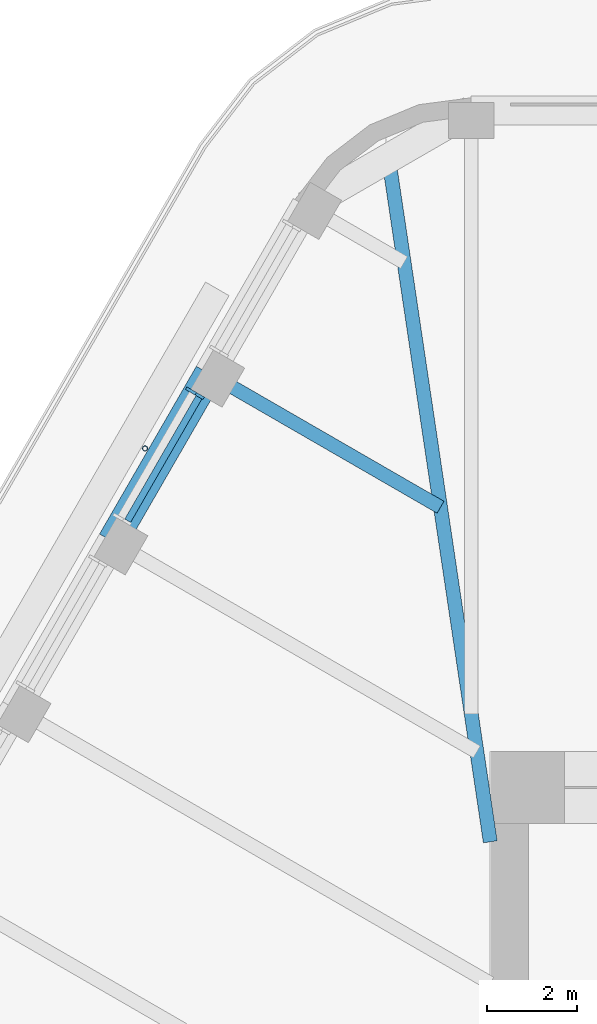
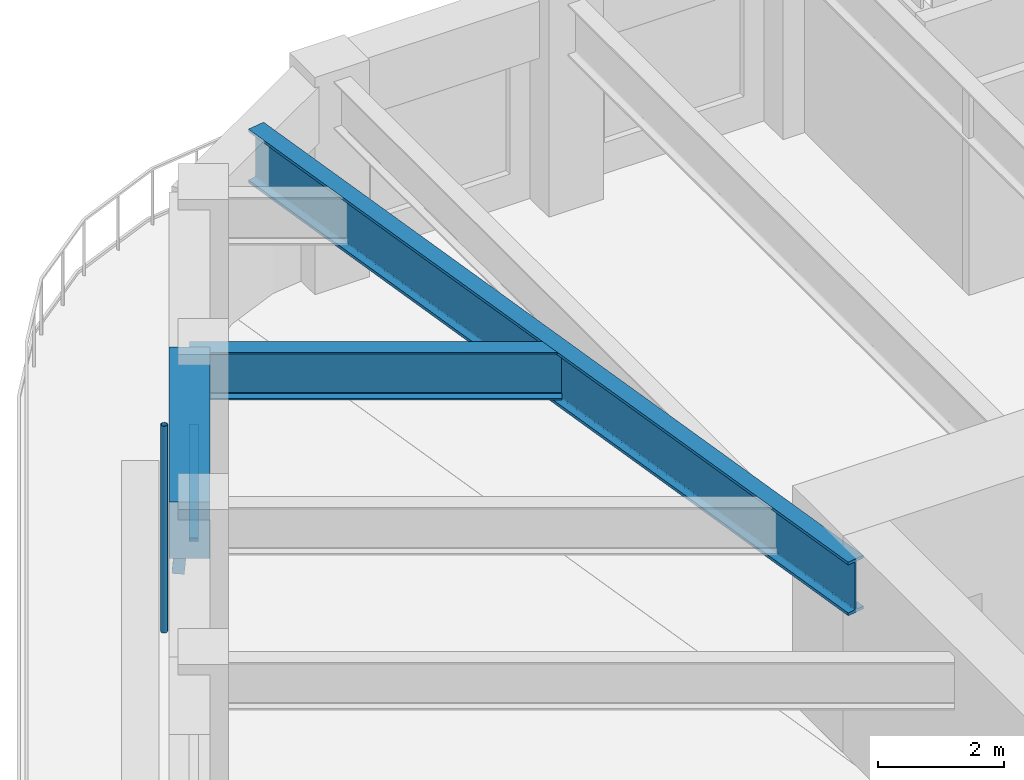
# One storey, part 8 of 19: 3 beams, 3 members, 1 element without a shape of its own.
"""IFC4 building model written with IfcOpenShell, lengths in metres."""

from ifc_helpers import new_model, si_unit, direction, frame, origin, origin_2d, place, context, subcontext, project, spatial, rectangle, hollow_circle, i_section, extrude, material, material_profile, profile_set, type_object, element, aggregate, save


model = new_model("IFC4")

# Units and contexts
model_context = context("Model", 3, precision=1e-05, world=origin(), true_north=direction((0.0, 1.0)))
body_context = subcontext(model_context, "Body", "Model", "MODEL_VIEW")
ifc_project = project(units=[si_unit("LENGTHUNIT", "METRE"), si_unit("AREAUNIT", "SQUARE_METRE"), si_unit("VOLUMEUNIT", "CUBIC_METRE"), si_unit("PLANEANGLEUNIT", "RADIAN"), si_unit("MASSUNIT", "GRAM", prefix="KILO")], contexts=[model_context])

# Site, building, storey
site_placement = place(None, origin())
site = spatial("IfcSite", under=ifc_project, at=site_placement, CompositionType="ELEMENT")
building_placement = place(site_placement, origin())
building = spatial("IfcBuilding", under=site, at=building_placement, Name="Tarfa Lantern Tower", CompositionType="ELEMENT")
storey_placement = place(building_placement, frame((0.0, 0.0, 336.699951171875)))
storey = spatial("IfcBuildingStorey", under=building, at=storey_placement, Name="L76", CompositionType="ELEMENT", Elevation=336.699951171875)

# Curtain wall, members
ifc_material_1 = material(Name="Aluminium framed curtain wall", Category="aluminium")
curtain_wall_type = type_object("IfcCurtainWallType", Name="CW4 CANTED GLAZING EXECUTIVE ZONE 2900", PredefinedType="USERDEFINED", material=ifc_material_1)
curtain_wall_placement = place(storey_placement, origin())
curtain_wall = element("IfcCurtainWall", 1, at=curtain_wall_placement, inside=storey, type_object=curtain_wall_type, Name="CW4 NW L76", ObjectType="CURTAIN WALL", PredefinedType="USERDEFINED")
ifc_material_2 = material(Name="Aluminium mullion", Category="aluminium")
ifc_material_profile_1 = material_profile(ifc_material_2, rectangle(XDim=0.06494140625, YDim=0.199951171875, at=origin_2d()), Name="AL MULLION 65x200")
ifc_profile_set_1 = profile_set([ifc_material_profile_1], Name="Aluminium mullion")
member_type_1 = type_object("IfcMemberType", Name="CWM1 MULLION 65x200", PredefinedType="MULLION", material=ifc_profile_set_1)
member_1_placement = place(storey_placement, frame((-19.063720703125, 20.280517578125, 0.0), z_axis=(0.074310195522, -0.042942234884, 0.996310172238), x_axis=(0.500342721131, 0.865827443207, 0.0)))
member_1 = element("IfcMember", 2, at=member_1_placement, type_object=member_type_1, Name="CW4 mullion 1", PredefinedType="MULLION", context=body_context, shape_type="SweptSolid", body=[
    extrude(rectangle(XDim=0.06494140625, YDim=0.199951171875, at=origin_2d()), origin(), (0.0, 0.0, 1.0), 2.910888671875),
])
ifc_material_3 = material(Name="Aluminium transom", Category="aluminium")
ifc_material_profile_2 = material_profile(ifc_material_3, rectangle(XDim=0.14990234375, YDim=0.06494140625, at=origin_2d()), Name="AL TRANSOM 150x65")
ifc_profile_set_2 = profile_set([ifc_material_profile_2], Name="Aluminium transom")
member_type_2 = type_object("IfcMemberType", Name="CWT1 TRANSOM 150x65", PredefinedType="USERDEFINED", material=ifc_profile_set_2)
member_2_placement = place(storey_placement, frame((-18.865966796875, 20.128662109375, 2.867431640625), z_axis=(-0.499979472441, -0.866037255052, 0.0), x_axis=(0.866037255052, -0.499979472441, 0.0)))
member_2 = element("IfcMember", 3, at=member_2_placement, type_object=member_type_2, Name="CW4 transom 1.2", ObjectType="TRANSOM", PredefinedType="USERDEFINED", context=body_context, shape_type="SweptSolid", body=[
    extrude(rectangle(XDim=0.14990234375, YDim=0.06494140625, at=origin_2d()), origin(), (0.0, 0.0, 1.0), 3.152099609375),
])
aggregate(curtain_wall, [member_1, member_2])

# Beam
ifc_material_4 = material(Name="Concrete C80/95", Category="concrete")
ifc_material_profile_3 = material_profile(ifc_material_4, rectangle(XDim=0.64990234375, YDim=1.10009765625, at=origin_2d()), Name="RC 650x1100")
ifc_profile_set_3 = profile_set([ifc_material_profile_3], Name="Concrete C80/95")
beam_type_1 = type_object("IfcBeamType", Name="EB4 RC 650x1100", PredefinedType="SPANDREL", material=ifc_profile_set_3)
beam_1_placement = place(storey_placement, frame((-18.6416015625, 20.651611328125, 3.449951171875), z_axis=(-0.500026801138, -0.866009929587, 0.0), x_axis=(0.866009929587, -0.500026801138, 0.0)))
element("IfcBeam", 4, at=beam_1_placement, inside=storey, type_object=beam_type_1, Name="Edge beam NW1", PredefinedType="SPANDREL", context=body_context, shape_type="SweptSolid", body=[
    extrude(rectangle(XDim=0.64990234375, YDim=1.10009765625, at=origin_2d()), origin(), (0.0, 0.0, 1.0), 4.281982421875),
])

# Member
ifc_material_5 = material(Name="Steel S355", Category="steel")
ifc_material_profile_4 = material_profile(ifc_material_5, hollow_circle(Radius=0.05712890625, WallThickness=0.00634765625, at=origin_2d()), Name="CHS114.3x6.3")
ifc_profile_set_4 = profile_set([ifc_material_profile_4], Name="Steel S355")
member_type_3 = type_object("IfcMemberType", Name="TR1 GREEN WALL TRELLIS CHS114.3x6.3", PredefinedType="USERDEFINED", material=ifc_profile_set_4)
member_3_placement = place(storey_placement, frame((-20.05859375, 18.99755859375, 0.0), z_axis=(0.0, 0.0, 1.0), x_axis=(1.0, 0.0, 0.0)))
element("IfcMember", 5, at=member_3_placement, inside=storey, type_object=member_type_3, Name="Trellis post NW 1", ObjectType="TRELLIS", PredefinedType="USERDEFINED", context=body_context, shape_type="SweptSolid", body=[
    extrude(hollow_circle(Radius=0.05712890625, WallThickness=0.00634765625, at=origin_2d()), origin(), (0.0, 0.0, 1.0), 4.0),
])

# Beams
ifc_material_6 = material(Name="Steel S460M", Category="steel")
ifc_material_profile_5 = material_profile(ifc_material_6, i_section(OverallWidth=0.30859375, OverallDepth=1.036376953125, WebThickness=0.030029296875, FlangeThickness=0.05419921875, FilletRadius=0.030029296875, at=origin_2d()), Name="UB1016x305x487")
ifc_profile_set_5 = profile_set([ifc_material_profile_5], Name="Steel S460M")
beam_type_2 = type_object("IfcBeamType", Name="UB1016x305x487", PredefinedType="BEAM", material=ifc_profile_set_5)
beam_2_placement = place(storey_placement, frame((-12.425048828125, 10.300048828125, 3.48193359375), z_axis=(-0.147127069073, 0.989117599452, 0.0), x_axis=(-0.989117599452, -0.147127069073, 0.0)))
element("IfcBeam", 6, at=beam_2_placement, inside=storey, type_object=beam_type_2, Name="Hip girder NW", PredefinedType="BEAM", context=body_context, shape_type="SweptSolid", body=[
    extrude(i_section(OverallWidth=0.30859375, OverallDepth=1.036376953125, WebThickness=0.030029296875, FlangeThickness=0.05419921875, FilletRadius=0.030029296875, at=origin_2d()), origin(), (0.0, 0.0, 1.0), 15.28125),
])
ifc_material_profile_6 = material_profile(ifc_material_6, i_section(OverallWidth=0.305419921875, OverallDepth=0.91845703125, WebThickness=0.017333984375, FlangeThickness=0.02783203125, FilletRadius=0.01904296875, at=origin_2d()), Name="UB914x305x253")
ifc_profile_set_6 = profile_set([ifc_material_profile_6], Name="Steel S460M")
beam_type_3 = type_object("IfcBeamType", Name="UB914x305x253", PredefinedType="BEAM", material=ifc_profile_set_6)
beam_3_placement = place(storey_placement, frame((-18.6416015625, 20.651611328125, 3.540771484375), z_axis=(0.866024549157, -0.500001480256, 0.0), x_axis=(0.500001480256, 0.866024549157, 0.0)))
element("IfcBeam", 7, at=beam_3_placement, inside=storey, type_object=beam_type_3, Name="Floor beam NW1", PredefinedType="BEAM", context=body_context, shape_type="SweptSolid", body=[
    extrude(i_section(OverallWidth=0.305419921875, OverallDepth=0.91845703125, WebThickness=0.017333984375, FlangeThickness=0.02783203125, FilletRadius=0.01904296875, at=origin_2d()), origin(), (0.0, 0.0, 1.0), 5.90771484375),
])

save(model, "model.ifc")
